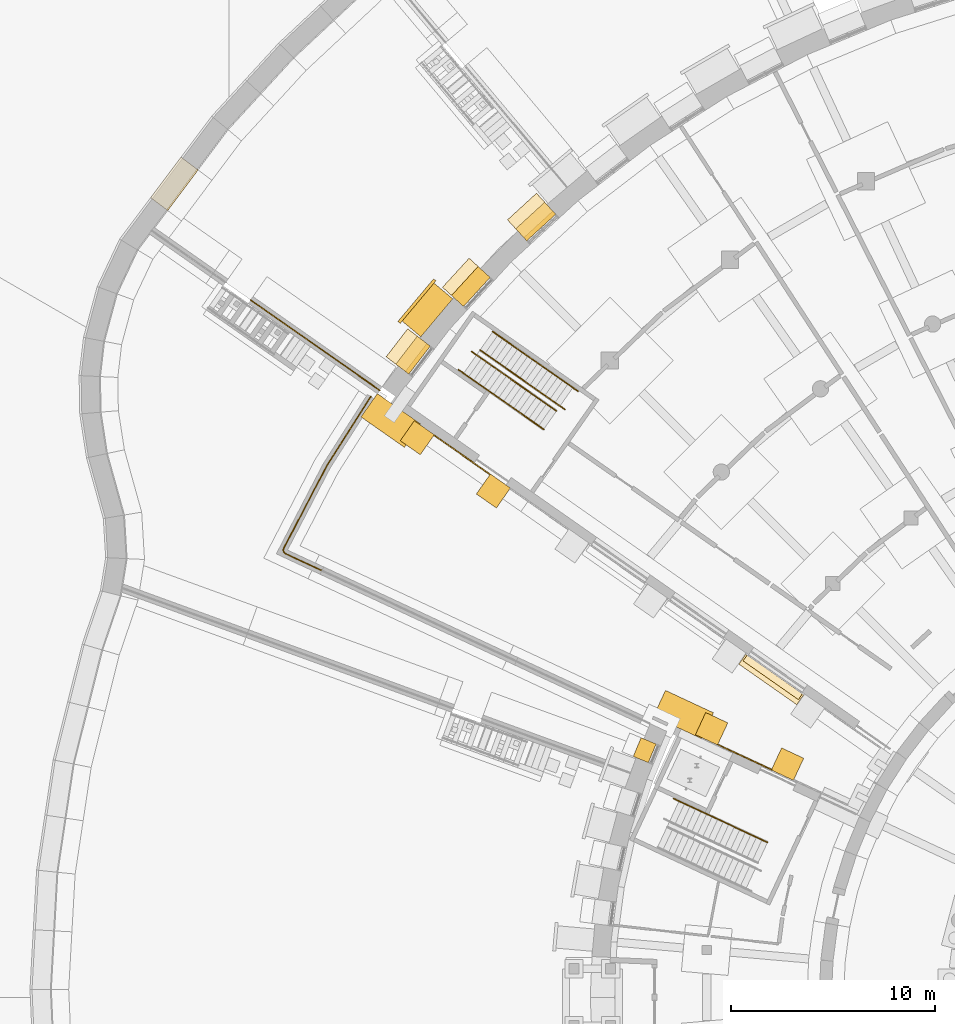
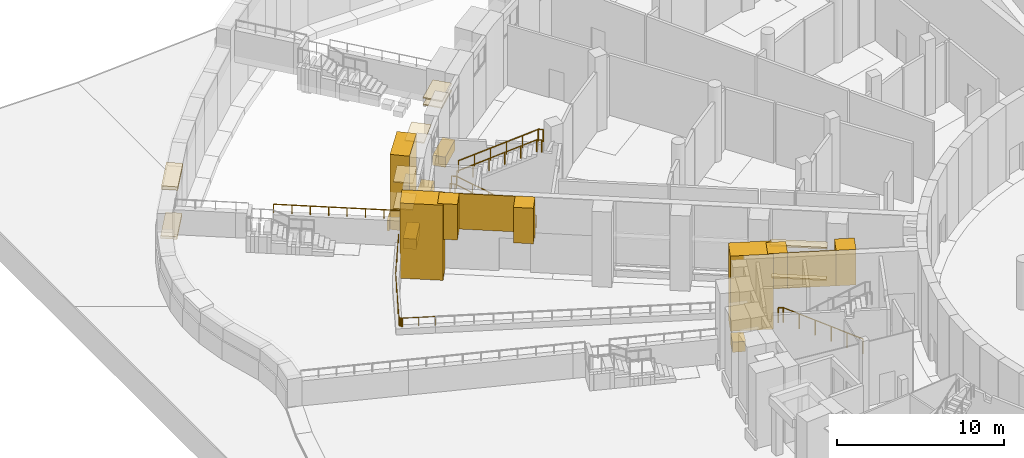
# One storey, part 60 of 65: 23 coverings, 7 railings.
"""IFC4 building model written with IfcOpenShell, lengths in metres."""

from ifc_helpers import new_model, si_unit, direction, frame, origin, origin_2d, place, context, subcontext, project, spatial, polyline, rectangle, circle, outline, extrude, material, layer, layer_set, type_object, element, save


model = new_model("IFC4")

# Units and contexts
model_context = context("Model", 3, precision=1e-05, world=origin(), true_north=direction((0.0, 1.0)))
body_context = subcontext(model_context, "Body", "Model", "MODEL_VIEW")
ifc_project = project(units=[si_unit("LENGTHUNIT", "METRE"), si_unit("AREAUNIT", "SQUARE_METRE"), si_unit("VOLUMEUNIT", "CUBIC_METRE"), si_unit("PLANEANGLEUNIT", "RADIAN"), si_unit("MASSUNIT", "GRAM", prefix="KILO")], contexts=[model_context])

# Site, building, storey
site_placement = place(None, origin())
site = spatial("IfcSite", under=ifc_project, at=site_placement, CompositionType="ELEMENT")
building_placement = place(site_placement, origin())
building = spatial("IfcBuilding", under=site, at=building_placement, Name="Volute Hill Aquarium", CompositionType="ELEMENT")
storey_placement = place(building_placement, frame((0.0, 0.0, -5.5)))
storey = spatial("IfcBuildingStorey", under=building, at=storey_placement, Name="L00", CompositionType="ELEMENT", Elevation=-5.5)

# Coverings
ifc_material_1 = material(Name="Blue limestone", Category="masonry")
covering_type_1 = type_object("IfcCoveringType", Name="Bluestone plinth block 275x750", PredefinedType="CLADDING", material=ifc_material_1)
covering_1_placement = place(storey_placement, frame((-29.574462890625, 12.141845703125, 0.0), z_axis=(0.0, 0.0, 1.0), x_axis=(-0.382661654863, -0.923888552747, 0.0)))
element("IfcCovering", 1, at=covering_1_placement, inside=storey, type_object=covering_type_1, Name="Bluestone plinth BPN S1 L00 1", PredefinedType="CLADDING", context=body_context, shape_type="SweptSolid", body=[
    extrude(rectangle(XDim=0.99267578125, YDim=0.800048828125, at=origin_2d()), origin(), (0.0, 0.0, 1.0), 0.75),
])
for number, where, z_axis, x_axis, name in (
    (2, (-34.9287109375, 38.117919921875, 0.0), (0.0, 0.0, 1.0), (-0.737286116943, -0.675580625657, 0.0), "Bluestone plinth BPN S6 L00 8"),
    (3, (-38.117919921875, 34.9287109375, 0.0), (0.0, 0.0, 1.0), (-0.675580625657, -0.737286116943, 0.0), "Bluestone plinth BPN S6 L00 9"),
):
    element("IfcCovering", number, at=place(storey_placement, frame(where, z_axis=z_axis, x_axis=x_axis)), inside=storey, type_object=covering_type_1, Name=name, PredefinedType="CLADDING", context=body_context, shape_type="SweptSolid", body=[
        extrude(rectangle(XDim=1.933837890625, YDim=0.800048828125, at=origin_2d()), origin(), (0.0, 0.0, 1.0), 0.75),
    ])
covering_2_placement = place(storey_placement, frame((-40.956298828125, 31.552978515625, 0.0), z_axis=(0.0, 0.0, 1.0), x_axis=(-0.608765735827, -0.793350035535, 0.0)))
element("IfcCovering", 4, at=covering_2_placement, inside=storey, type_object=covering_type_1, Name="Bluestone plinth BPN S6 L00 10", PredefinedType="CLADDING", context=body_context, shape_type="SweptSolid", body=[
    extrude(rectangle(XDim=1.733642578125, YDim=0.800048828125, at=origin_2d()), origin(), (0.0, 0.0, 1.0), 0.75),
])
ifc_material_2 = material(Name="Blue limestone", Category="masonry")
ifc_layer_1 = layer(ifc_material_2, 0.14990234375)
ifc_layer_set_1 = layer_set([ifc_layer_1], Name="Bluestone plinth plate 150x750")
covering_type_2 = type_object("IfcCoveringType", Name="Bluestone plinth plate 150x750", PredefinedType="CLADDING", material=ifc_layer_set_1)
covering_3_placement = place(storey_placement, frame((-40.767822265625, 34.208251953125, 0.0), z_axis=(0.0, 0.0, 1.0), x_axis=(-0.642787609687, -0.766044443119, 0.0)))
element("IfcCovering", 5, at=covering_3_placement, inside=storey, type_object=covering_type_2, Name="Bluestone plinth BP S6 L00 9", PredefinedType="CLADDING", context=body_context, shape_type="SweptSolid", body=[
    extrude(rectangle(XDim=2.7353515625, YDim=0.14990234375, at=origin_2d()), origin(), (0.0, 0.0, 1.0), 0.75),
])
ifc_material_3 = material(Name="Precast concrete C40/50", Category="concrete")
covering_type_3 = type_object("IfcCoveringType", Name="End wall precast fin C40/50 1200x1200", PredefinedType="CLADDING", material=ifc_material_3)
for number, where, z_axis, x_axis, name in (
    (6, (-22.556640625, 11.456298828125, 2.89990234375), (0.0, 0.0, 1.0), (-0.906304180904, 0.42262599503, 0.0), "End wall fin EWF S1A L00 2"),
    (7, (-26.2861328125, 13.1953125, 2.89990234375), (0.0, 0.0, 1.0), (-0.906304180904, 0.42262599503, 0.0), "End wall fin EWF S1A L00 3"),
    (8, (-37.0107421875, 24.87744140625, 2.89990234375), (0.0, 0.0, 1.0), (-0.819151442029, 0.573577296467, 0.0), "End wall fin EWF S6B L00 6"),
    (9, (-40.748779296875, 27.494873046875, 2.89990234375), (0.0, 0.0, 1.0), (-0.819151442029, 0.573577296467, 0.0), "End wall fin EWF S6B L00 7"),
):
    element("IfcCovering", number, at=place(storey_placement, frame(where, z_axis=z_axis, x_axis=x_axis)), inside=storey, type_object=covering_type_3, Name=name, PredefinedType="CLADDING", context=body_context, shape_type="SweptSolid", body=[
        extrude(rectangle(XDim=1.199951171875, YDim=1.199951171875, at=origin_2d()), origin(), (0.0, 0.0, 1.0), 2.60009765625),
    ])
ifc_material_4 = material(Name="Precast concrete C40/50", Category="concrete")
ifc_layer_2 = layer(ifc_material_4, 0.050048828125)
ifc_layer_set_2 = layer_set([ifc_layer_2], Name="End wall precast infill panel C40/50 50")
covering_type_4 = type_object("IfcCoveringType", Name="End wall precast infill panel C40/50 50", PredefinedType="CLADDING", material=ifc_layer_set_2)
covering_4_placement = place(storey_placement, frame((-23.3330078125, 11.21142578125, 2.89990234375), z_axis=(0.422624097709, 0.906305065657, 0.0), x_axis=(-0.906305065657, 0.422624097709, 0.0)))
element("IfcCovering", 10, at=covering_4_placement, inside=storey, type_object=covering_type_4, Name="End wall panel EWP S1A L00 2", PredefinedType="CLADDING", context=body_context, shape_type="SweptSolid", body=[
    extrude(outline(polyline([(0.0, 0.0), (2.9149629669225328, 0.0), (2.9149629669225328, 2.60009765625), (0.0, 2.60009765625), (0.0, 0.0)])), origin(), (0.0, 0.0, -1.0), 0.050048828125),
])
covering_5_placement = place(storey_placement, frame((-37.157958984375, 25.713134765625, 2.89990234375), z_axis=(0.573584128646, 0.819146658032, 0.0), x_axis=(-0.819146658032, 0.573584128646, 0.0)))
element("IfcCovering", 11, at=covering_5_placement, inside=storey, type_object=covering_type_4, Name="End wall panel EWP S6B L00 6", PredefinedType="CLADDING", context=body_context, shape_type="SweptSolid", body=[
    extrude(outline(polyline([(0.0, 0.0), (3.3634110889781903, 0.0), (3.3634110889781903, 2.60009765625), (0.0, 2.60009765625), (0.0, 0.0)])), origin(), (0.0, 0.0, -1.0), 0.050048828125),
])
ifc_material_5 = material(Name="Precast concrete C40/50", Category="concrete")
ifc_layer_3 = layer(ifc_material_5, 0.1201171875)
ifc_layer_set_3 = layer_set([ifc_layer_3], Name="End wall window head blade precast C40/50 600x120")
covering_type_5 = type_object("IfcCoveringType", Name="End wall window head blade precast C40/50 600x120", PredefinedType="CLADDING", material=ifc_layer_set_3)
covering_6_placement = place(storey_placement, frame((-23.35400390625, 15.6201171875, 3.199951171875), z_axis=(0.0, 0.0, 1.0), x_axis=(-0.819151442029, 0.573577296467, 0.0)))
element("IfcCovering", 12, at=covering_6_placement, inside=storey, type_object=covering_type_5, Name="End wall window head blade EWB S6B L00 2.1", PredefinedType="CLADDING", context=body_context, shape_type="SweptSolid", body=[
    extrude(rectangle(XDim=3.473388671875, YDim=0.60009765625, at=origin_2d()), origin(), (0.0, 0.0, 1.0), 0.1201171875),
])
ifc_material_6 = material(Name="Precast concrete C40/50", Category="concrete")
ifc_layer_4 = layer(ifc_material_6, 0.10009765625)
ifc_layer_set_4 = layer_set([ifc_layer_4], Name="End wall window sill precast C40/50 350x100")
covering_type_6 = type_object("IfcCoveringType", Name="End wall window sill precast C40/50 350x100", PredefinedType="CLADDING", material=ifc_layer_set_4)
covering_7_placement = place(storey_placement, frame((-23.282470703125, 15.72265625, 0.699951171875), z_axis=(0.0, 0.0, 1.0), x_axis=(-0.819151442029, 0.573577296467, 0.0)))
element("IfcCovering", 13, at=covering_7_placement, inside=storey, type_object=covering_type_6, Name="End wall window sill EWS S6B L00 2.1", PredefinedType="CLADDING", context=body_context, shape_type="SweptSolid", body=[
    extrude(rectangle(XDim=3.313232421875, YDim=0.35009765625, at=origin_2d()), origin(), (0.0, 0.0, 1.0), 0.10009765625),
])

# Railings
ifc_material_7 = material(Name="Stainless steel 1.4301", Category="steel")
railing_type_1 = type_object("IfcRailingType", Name="Guard 1100 stainless", PredefinedType="GUARDRAIL", material=ifc_material_7)
railing_1_placement = place(storey_placement, frame((-23.538818359375, 7.611083984375, 0.161865234375)))
element("IfcRailing", 14, at=railing_1_placement, inside=storey, type_object=railing_type_1, Name="gd/S1-A/L00/1", PredefinedType="GUARDRAIL", context=body_context, shape_type="SweptSolid", body=[
    extrude(circle(Radius=0.02392578125, at=origin_2d()), frame((0.0, 0.0, 1.076171875), z_axis=(-0.797737998729, 0.371985242238, 0.474595685758), x_axis=(-0.422612573246, -0.906310439604, 0.0)), (0.0, 0.0, 1.0), 5.453369140625),
    extrude(circle(Radius=0.02392578125, at=origin_2d()), frame((-4.350341796875, 2.028564453125, 3.6640625), z_axis=(-0.906307919131, 0.422617978463, 0.0), x_axis=(-0.422617978463, -0.906307919131, 0.0)), (0.0, 0.0, 1.0), 0.2998046875),
    extrude(circle(Radius=0.02099609375, at=origin_2d()), origin(), (0.0, 0.0, 1.0), 1.052001953125),
    extrude(circle(Radius=0.02099609375, at=origin_2d()), frame((-0.8701171875, 0.40576171875, 0.517578125)), (0.0, 0.0, 1.0), 1.052001953125),
    extrude(circle(Radius=0.02099609375, at=origin_2d()), frame((-1.740234375, 0.8115234375, 1.03515625)), (0.0, 0.0, 1.0), 1.052001953125),
    extrude(circle(Radius=0.02099609375, at=origin_2d()), frame((-2.610107421875, 1.217041015625, 1.552978515625)), (0.0, 0.0, 1.0), 1.052001953125),
    extrude(circle(Radius=0.02099609375, at=origin_2d()), frame((-3.480224609375, 1.622802734375, 2.070556640625)), (0.0, 0.0, 1.0), 1.052001953125),
    extrude(circle(Radius=0.02099609375, at=origin_2d()), frame((-4.350341796875, 2.028564453125, 2.588134765625)), (0.0, 0.0, 1.0), 1.052001953125),
    extrude(circle(Radius=0.02099609375, at=origin_2d()), frame((-4.6220703125, 2.1552734375, 2.588134765625)), (0.0, 0.0, 1.0), 1.052001953125),
])
railing_2_placement = place(storey_placement, frame((-34.5390625, 27.90771484375, 0.161865234375)))
element("IfcRailing", 15, at=railing_2_placement, inside=storey, type_object=railing_type_1, Name="gd/S6-B/L00/1", PredefinedType="GUARDRAIL", context=body_context, shape_type="SweptSolid", body=[
    extrude(circle(Radius=0.02392578125, at=origin_2d()), frame((0.0, 0.0, 1.076171875), z_axis=(-0.721014479241, 0.504866829084, 0.474602576494), x_axis=(-0.573581815061, -0.819148278049, 0.0)), (0.0, 0.0, 1.0), 5.453369140625),
    extrude(circle(Radius=0.02392578125, at=origin_2d()), frame((-3.931884765625, 2.753173828125, 3.6640625), z_axis=(-0.819193700616, 0.573516940352, 0.0), x_axis=(-0.573516940352, -0.819193700616, 0.0)), (0.0, 0.0, 1.0), 0.300048828125),
    extrude(circle(Radius=0.02099609375, at=origin_2d()), origin(), (0.0, 0.0, 1.0), 1.052001953125),
    extrude(circle(Radius=0.02099609375, at=origin_2d()), frame((-0.786376953125, 0.550537109375, 0.517578125)), (0.0, 0.0, 1.0), 1.052001953125),
    extrude(circle(Radius=0.02099609375, at=origin_2d()), frame((-1.57275390625, 1.101318359375, 1.03515625)), (0.0, 0.0, 1.0), 1.052001953125),
    extrude(circle(Radius=0.02099609375, at=origin_2d()), frame((-2.359130859375, 1.65185546875, 1.552978515625)), (0.0, 0.0, 1.0), 1.052001953125),
    extrude(circle(Radius=0.02099609375, at=origin_2d()), frame((-3.1455078125, 2.20263671875, 2.070556640625)), (0.0, 0.0, 1.0), 1.052001953125),
    extrude(circle(Radius=0.02099609375, at=origin_2d()), frame((-3.931884765625, 2.753173828125, 2.588134765625)), (0.0, 0.0, 1.0), 1.052001953125),
    extrude(circle(Radius=0.02099609375, at=origin_2d()), frame((-4.177734375, 2.92529296875, 2.588134765625)), (0.0, 0.0, 1.0), 1.052001953125),
])
ifc_material_8 = material(Name="Stainless steel 1.4301", Category="steel")
railing_type_2 = type_object("IfcRailingType", Name="Handrail 48 stainless", PredefinedType="HANDRAIL", material=ifc_material_8)
railing_3_placement = place(storey_placement, frame((-33.908203125, 28.808837890625, 0.161865234375)))
element("IfcRailing", 16, at=railing_3_placement, inside=storey, type_object=railing_type_2, Name="hr/S6-B/L00/2", PredefinedType="HANDRAIL", context=body_context, shape_type="SweptSolid", body=[
    extrude(circle(Radius=0.02392578125, at=origin_2d()), frame((0.0, 0.0, 0.8759765625), z_axis=(-0.721014479241, 0.504866829084, 0.474602576494), x_axis=(-0.573581815061, -0.819148278049, 0.0)), (0.0, 0.0, 1.0), 5.453369140625),
    extrude(circle(Radius=0.02392578125, at=origin_2d()), frame((-3.931884765625, 2.753173828125, 3.4638671875), z_axis=(-0.818925855405, 0.573899332068, 0.0), x_axis=(-0.573899332068, -0.818925855405, 0.0)), (0.0, 0.0, 1.0), 0.2998046875),
    extrude(circle(Radius=0.02099609375, at=origin_2d()), origin(), (0.0, 0.0, 1.0), 0.851806640625),
    extrude(circle(Radius=0.02099609375, at=origin_2d()), frame((-0.786376953125, 0.550537109375, 0.517578125)), (0.0, 0.0, 1.0), 0.851806640625),
    extrude(circle(Radius=0.02099609375, at=origin_2d()), frame((-1.57275390625, 1.101318359375, 1.03515625)), (0.0, 0.0, 1.0), 0.851806640625),
    extrude(circle(Radius=0.02099609375, at=origin_2d()), frame((-2.359130859375, 1.65185546875, 1.552978515625)), (0.0, 0.0, 1.0), 0.851806640625),
    extrude(circle(Radius=0.02099609375, at=origin_2d()), frame((-3.1455078125, 2.20263671875, 2.070556640625)), (0.0, 0.0, 1.0), 0.851806640625),
    extrude(circle(Radius=0.02099609375, at=origin_2d()), frame((-3.931884765625, 2.753173828125, 2.588134765625)), (0.0, 0.0, 1.0), 0.851806640625),
    extrude(circle(Radius=0.02099609375, at=origin_2d()), frame((-4.177490234375, 2.92529296875, 2.588134765625)), (0.0, 0.0, 1.0), 0.851806640625),
])
railing_4_placement = place(storey_placement, frame((-37.66796875, 31.807861328125, 2.911865234375)))
element("IfcRailing", 17, at=railing_4_placement, inside=storey, type_object=railing_type_2, Name="hr/S6-B/L00/3", PredefinedType="HANDRAIL", context=body_context, shape_type="SweptSolid", body=[
    extrude(circle(Radius=0.02392578125, at=origin_2d()), frame((0.0, 0.0, 0.8759765625), z_axis=(0.721014479241, -0.504866829084, 0.474602576494), x_axis=(0.573581815061, 0.819148278049, 0.0)), (0.0, 0.0, 1.0), 5.453369140625),
    extrude(circle(Radius=0.02392578125, at=origin_2d()), frame((3.931884765625, -2.753173828125, 3.4638671875), z_axis=(0.819193700616, -0.573516940352, 0.0), x_axis=(0.573516940352, 0.819193700616, 0.0)), (0.0, 0.0, 1.0), 0.300048828125),
    extrude(circle(Radius=0.02099609375, at=origin_2d()), origin(), (0.0, 0.0, 1.0), 0.851806640625),
    extrude(circle(Radius=0.02099609375, at=origin_2d()), frame((0.786376953125, -0.550537109375, 0.517578125)), (0.0, 0.0, 1.0), 0.851806640625),
    extrude(circle(Radius=0.02099609375, at=origin_2d()), frame((1.57275390625, -1.101318359375, 1.03515625)), (0.0, 0.0, 1.0), 0.851806640625),
    extrude(circle(Radius=0.02099609375, at=origin_2d()), frame((2.359130859375, -1.65185546875, 1.552978515625)), (0.0, 0.0, 1.0), 0.851806640625),
    extrude(circle(Radius=0.02099609375, at=origin_2d()), frame((3.1455078125, -2.20263671875, 2.070556640625)), (0.0, 0.0, 1.0), 0.851806640625),
    extrude(circle(Radius=0.02099609375, at=origin_2d()), frame((3.931884765625, -2.753173828125, 2.588134765625)), (0.0, 0.0, 1.0), 0.851806640625),
    extrude(circle(Radius=0.02099609375, at=origin_2d()), frame((4.177734375, -2.92529296875, 2.588134765625)), (0.0, 0.0, 1.0), 0.851806640625),
])
railing_5_placement = place(storey_placement, frame((-37.037109375, 32.708984375, 2.911865234375)))
element("IfcRailing", 18, at=railing_5_placement, inside=storey, type_object=railing_type_2, Name="hr/S6-B/L00/4", PredefinedType="HANDRAIL", context=body_context, shape_type="SweptSolid", body=[
    extrude(circle(Radius=0.02392578125, at=origin_2d()), frame((0.0, 0.0, 0.8759765625), z_axis=(0.721035973794, -0.504850532502, 0.474587256811), x_axis=(0.573557917916, 0.819165010725, 0.0)), (0.0, 0.0, 1.0), 5.453369140625),
    extrude(circle(Radius=0.02392578125, at=origin_2d()), frame((3.93212890625, -2.753173828125, 3.4638671875), z_axis=(0.818925855405, -0.573899332068, 0.0), x_axis=(0.573899332068, 0.818925855405, 0.0)), (0.0, 0.0, 1.0), 0.2998046875),
    extrude(circle(Radius=0.02099609375, at=origin_2d()), origin(), (0.0, 0.0, 1.0), 0.851806640625),
    extrude(circle(Radius=0.02099609375, at=origin_2d()), frame((0.786376953125, -0.550537109375, 0.517578125)), (0.0, 0.0, 1.0), 0.851806640625),
    extrude(circle(Radius=0.02099609375, at=origin_2d()), frame((1.57275390625, -1.101318359375, 1.03515625)), (0.0, 0.0, 1.0), 0.851806640625),
    extrude(circle(Radius=0.02099609375, at=origin_2d()), frame((2.359375, -1.65185546875, 1.552978515625)), (0.0, 0.0, 1.0), 0.851806640625),
    extrude(circle(Radius=0.02099609375, at=origin_2d()), frame((3.145751953125, -2.20263671875, 2.070556640625)), (0.0, 0.0, 1.0), 0.851806640625),
    extrude(circle(Radius=0.02099609375, at=origin_2d()), frame((3.93212890625, -2.753173828125, 2.588134765625)), (0.0, 0.0, 1.0), 0.851806640625),
    extrude(circle(Radius=0.02099609375, at=origin_2d()), frame((4.177734375, -2.92529296875, 2.588134765625)), (0.0, 0.0, 1.0), 0.851806640625),
])

# Coverings
ifc_material_9 = material(Name="Aluminium, anodised", Category="aluminium")
ifc_layer_5 = layer(ifc_material_9, 0.080078125)
ifc_layer_set_5 = layer_set([ifc_layer_5], Name="Horizontal brise-soleil eyebrow 1200x80")
covering_type_7 = type_object("IfcCoveringType", Name="Horizontal brise-soleil eyebrow 1200x80", PredefinedType="CLADDING", material=ifc_layer_set_5)
for number, where, z_axis, x_axis, name in (
    (19, (-35.198974609375, 38.412841796875, 4.760009765625), (0.0, 0.0, 1.0), (-0.737286116943, -0.675580625657, 0.0), "Brise-soleil eyebrow BS S6 L00 8.1"),
    (20, (-35.198974609375, 38.412841796875, 4.260009765625), (0.0, 0.0, 1.0), (-0.737286116943, -0.675580625657, 0.0), "Brise-soleil eyebrow BS S6 L00 8.2"),
    (21, (-38.412841796875, 35.198974609375, 4.760009765625), (0.0, 0.0, 1.0), (-0.675580625657, -0.737286116943, 0.0), "Brise-soleil eyebrow BS S6 L00 9.1"),
):
    element("IfcCovering", number, at=place(storey_placement, frame(where, z_axis=z_axis, x_axis=x_axis)), inside=storey, type_object=covering_type_7, Name=name, PredefinedType="CLADDING", context=body_context, shape_type="SweptSolid", body=[
        extrude(rectangle(XDim=1.933837890625, YDim=1.199951171875, at=origin_2d()), origin(), (0.0, 0.0, 1.0), 0.080078125),
    ])
for number, where, z_axis, x_axis, name in (
    (22, (-41.2734375, 31.79638671875, 4.760009765625), (0.0, 0.0, 1.0), (-0.608765735827, -0.793350035535, 0.0), "Brise-soleil eyebrow BS S6 L00 10.1"),
    (23, (-41.2734375, 31.79638671875, 2.81005859375), (0.0, 0.0, 1.0), (-0.608765735827, -0.793350035535, 0.0), "Brise-soleil eyebrow BS S6 L00 10.2"),
):
    element("IfcCovering", number, at=place(storey_placement, frame(where, z_axis=z_axis, x_axis=x_axis)), inside=storey, type_object=covering_type_7, Name=name, PredefinedType="CLADDING", context=body_context, shape_type="SweptSolid", body=[
        extrude(rectangle(XDim=1.733642578125, YDim=1.199951171875, at=origin_2d()), origin(), (0.0, 0.0, 1.0), 0.080078125),
    ])
ifc_material_10 = material(Name="Precast concrete C40/50", Category="concrete")
ifc_layer_6 = layer(ifc_material_10, 0.25)
ifc_layer_set_6 = layer_set([ifc_layer_6], Name="Plinth coping precast concrete C40/50 1000")
covering_type_8 = type_object("IfcCoveringType", Name="Plinth coping precast concrete C40/50 1000", PredefinedType="CLADDING", material=ifc_layer_set_6)
covering_8_placement = place(storey_placement, frame((0.0, 0.0, 3.60009765625)))
element("IfcCovering", 24, at=covering_8_placement, inside=storey, type_object=covering_type_8, Name="cp/E84FA2/L00/1", PredefinedType="CLADDING", context=body_context, shape_type="SweptSolid", body=[
    extrude(outline(polyline([(-52.320068359375, 41.25341796875), (-53.8125, 39.26123046875), (-53.011962890625, 38.661865234375), (-51.519775390625, 40.65380859375), (-52.320068359375, 41.25341796875)])), origin(), (0.0, 0.0, 1.0), 0.25),
])
ifc_material_11 = material(Name="Precast concrete C40/50", Category="concrete")
ifc_layer_7 = layer(ifc_material_11, 0.199951171875)
ifc_layer_set_7 = layer_set([ifc_layer_7], Name="Plinth grade course precast concrete C40/50 1100")
covering_type_9 = type_object("IfcCoveringType", Name="Plinth grade course precast concrete C40/50 1100", PredefinedType="CLADDING", material=ifc_layer_set_7)
covering_9_placement = place(storey_placement, origin())
element("IfcCovering", 25, at=covering_9_placement, inside=storey, type_object=covering_type_9, Name="gc/E84FA2/L00/1", PredefinedType="CLADDING", context=body_context, shape_type="SweptSolid", body=[
    extrude(outline(polyline([(-52.360107421875, 41.283447265625), (-53.852294921875, 39.291259765625), (-53.052001953125, 38.69189453125), (-51.559814453125, 40.683837890625), (-52.360107421875, 41.283447265625)])), origin(), (0.0, 0.0, 1.0), 0.199951171875),
])
ifc_material_12 = material(Name="Precast concrete C40/50", Category="concrete")
covering_type_10 = type_object("IfcCoveringType", Name="Projecting pier precast concrete C40/50 2435x1200", PredefinedType="CLADDING", material=ifc_material_12)
covering_10_placement = place(storey_placement, frame((-40.250732421875, 33.7744140625, 0.0), z_axis=(0.0, 0.0, 1.0), x_axis=(-0.642787609687, -0.766044443119, 0.0)))
element("IfcCovering", 26, at=covering_10_placement, inside=storey, type_object=covering_type_10, Name="Projecting pier PP S6 L00 9", PredefinedType="CLADDING", context=body_context, shape_type="SweptSolid", body=[
    extrude(rectangle(XDim=2.435302734375, YDim=1.199951171875, at=origin_2d()), origin(), (0.0, 0.0, 1.0), 5.5),
])

# Railings
ifc_material_13 = material(Name="Steel S355", Category="steel")
railing_type_3 = type_object("IfcRailingType", Name="Site guard 1100", PredefinedType="GUARDRAIL", material=ifc_material_13)
railing_6_placement = place(storey_placement, frame((-42.595947265625, 29.825927734375, 3.199951171875)))
element("IfcRailing", 27, at=railing_6_placement, inside=storey, type_object=railing_type_3, Name="gd/RW145/L00/0", PredefinedType="GUARDRAIL", context=body_context, shape_type="SweptSolid", body=[
    extrude(circle(Radius=0.02392578125, at=origin_2d()), frame((0.0, 0.0, 0.6259765625), z_axis=(-0.819147443385, 0.573583007067, 0.0), x_axis=(-0.573583007067, -0.819147443385, 0.0)), (0.0, 0.0, 1.0), 7.73974609375),
    extrude(circle(Radius=0.02099609375, at=origin_2d()), origin(), (0.0, 0.0, 1.0), 0.601806640625),
    extrude(circle(Radius=0.02099609375, at=origin_2d()), frame((-0.90576171875, 0.63427734375, 0.0)), (0.0, 0.0, 1.0), 0.601806640625),
    extrude(circle(Radius=0.02099609375, at=origin_2d()), frame((-1.8115234375, 1.268310546875, 0.0)), (0.0, 0.0, 1.0), 0.601806640625),
    extrude(circle(Radius=0.02099609375, at=origin_2d()), frame((-2.71728515625, 1.902587890625, 0.0)), (0.0, 0.0, 1.0), 0.601806640625),
    extrude(circle(Radius=0.02099609375, at=origin_2d()), frame((-3.622802734375, 2.536865234375, 0.0)), (0.0, 0.0, 1.0), 0.601806640625),
    extrude(circle(Radius=0.02099609375, at=origin_2d()), frame((-4.528564453125, 3.171142578125, 0.0)), (0.0, 0.0, 1.0), 0.601806640625),
    extrude(circle(Radius=0.02099609375, at=origin_2d()), frame((-5.434326171875, 3.80517578125, 0.0)), (0.0, 0.0, 1.0), 0.601806640625),
    extrude(circle(Radius=0.02099609375, at=origin_2d()), frame((-6.340087890625, 4.439453125, 0.0)), (0.0, 0.0, 1.0), 0.601806640625),
])
railing_7_placement = place(storey_placement, frame((-45.433349609375, 20.965087890625, 1.824951171875)))
element("IfcRailing", 28, at=railing_7_placement, inside=storey, type_object=railing_type_3, Name="gd/RWCFA10.1/L00/0", PredefinedType="GUARDRAIL", context=body_context, shape_type="SweptSolid", body=[
    extrude(circle(Radius=0.02392578125, at=origin_2d()), frame((0.0, 0.0, 0.6259765625), z_axis=(-0.906259379234, 0.42272205709, 0.0), x_axis=(-0.42272205709, -0.906259379234, 0.0)), (0.0, 0.0, 1.0), 1.963134765625),
    extrude(circle(Radius=0.02392578125, at=origin_2d()), frame((-1.779052734375, 0.829833984375, 0.6259765625), z_axis=(-0.889567018144, 0.456804684993, 0.0), x_axis=(-0.456804684993, -0.889567018144, 0.0)), (0.0, 0.0, 1.0), 0.020263671875),
    extrude(circle(Radius=0.02392578125, at=origin_2d()), frame((-1.797119140625, 0.839111328125, 0.6259765625), z_axis=(-0.828283413128, 0.560309367704, 0.0), x_axis=(-0.560309367704, -0.828283413128, 0.0)), (0.0, 0.0, 1.0), 0.02001953125),
    extrude(circle(Radius=0.02392578125, at=origin_2d()), frame((-1.813720703125, 0.850341796875, 0.6259765625), z_axis=(-0.770190455771, 0.637813971185, 0.0), x_axis=(-0.637813971185, -0.770190455771, 0.0)), (0.0, 0.0, 1.0), 0.020263671875),
    extrude(circle(Radius=0.02392578125, at=origin_2d()), frame((-1.829345703125, 0.86328125, 0.6259765625), z_axis=(-0.707106781187, 0.707106781187, 0.0), x_axis=(-0.707106781187, -0.707106781187, 0.0)), (0.0, 0.0, 1.0), 0.02001953125),
    extrude(circle(Radius=0.02392578125, at=origin_2d()), frame((-1.843505859375, 0.87744140625, 0.6259765625), z_axis=(-0.624695047554, 0.780868809443, 0.0), x_axis=(-0.780868809443, -0.624695047554, 0.0)), (0.0, 0.0, 1.0), 0.020263671875),
    extrude(circle(Radius=0.02392578125, at=origin_2d()), frame((-1.856201171875, 0.893310546875, 0.6259765625), z_axis=(-0.554700196225, 0.832050294338, 0.0), x_axis=(-0.832050294338, -0.554700196225, 0.0)), (0.0, 0.0, 1.0), 0.020263671875),
    extrude(circle(Radius=0.02392578125, at=origin_2d()), frame((-1.867431640625, 0.91015625, 0.6259765625), z_axis=(-0.452094425935, 0.891970083601, 0.0), x_axis=(-0.891970083601, -0.452094425935, 0.0)), (0.0, 0.0, 1.0), 0.02001953125),
    extrude(circle(Radius=0.02392578125, at=origin_2d()), frame((-1.87646484375, 0.927978515625, 0.6259765625), z_axis=(-0.373466870858, 0.927643517938, 0.0), x_axis=(-0.927643517938, -0.373466870858, 0.0)), (0.0, 0.0, 1.0), 0.020263671875),
    extrude(circle(Radius=0.02392578125, at=origin_2d()), frame((-1.884033203125, 0.94677734375, 0.6259765625), z_axis=(-0.279533267892, 0.960136007106, 0.0), x_axis=(-0.960136007106, -0.279533267892, 0.0)), (0.0, 0.0, 1.0), 0.02001953125),
    extrude(circle(Radius=0.02392578125, at=origin_2d()), frame((-1.8896484375, 0.966064453125, 0.6259765625), z_axis=(-0.168296462892, 0.98573642551, 0.0), x_axis=(-0.98573642551, -0.168296462892, 0.0)), (0.0, 0.0, 1.0), 0.020263671875),
    extrude(circle(Radius=0.02392578125, at=origin_2d()), frame((-1.89306640625, 0.986083984375, 0.6259765625), z_axis=(-0.072975638312, 0.997333723592, 0.0), x_axis=(-0.997333723592, -0.072975638312, 0.0)), (0.0, 0.0, 1.0), 0.02001953125),
    extrude(circle(Radius=0.02392578125, at=origin_2d()), frame((-1.89453125, 1.006103515625, 0.6259765625), z_axis=(0.024089392975, 0.999709808467, 0.0), x_axis=(-0.999709808467, 0.024089392975, 0.0)), (0.0, 0.0, 1.0), 0.020263671875),
    extrude(circle(Radius=0.02392578125, at=origin_2d()), frame((-1.89404296875, 1.0263671875, 0.6259765625), z_axis=(0.121054375311, 0.992645877551, 0.0), x_axis=(-0.992645877551, 0.121054375311, 0.0)), (0.0, 0.0, 1.0), 0.020263671875),
    extrude(circle(Radius=0.02392578125, at=origin_2d()), frame((-1.8916015625, 1.04638671875, 0.6259765625), z_axis=(0.231072430796, 0.97293655072, 0.0), x_axis=(-0.97293655072, 0.231072430796, 0.0)), (0.0, 0.0, 1.0), 0.02001953125),
    extrude(circle(Radius=0.02392578125, at=origin_2d()), frame((-1.886962890625, 1.06591796875, 0.6259765625), z_axis=(0.327110563883, 0.94498607344, 0.0), x_axis=(-0.94498607344, 0.327110563883, 0.0)), (0.0, 0.0, 1.0), 0.020263671875),
    extrude(circle(Radius=0.02392578125, at=origin_2d()), frame((-1.88037109375, 1.0849609375, 0.6259765625), z_axis=(0.412887794594, 0.91078189984, 0.0), x_axis=(-0.91078189984, 0.412887794594, 0.0)), (0.0, 0.0, 1.0), 0.02001953125),
    extrude(circle(Radius=0.02392578125, at=origin_2d()), frame((-1.8720703125, 1.103271484375, 0.6259765625), z_axis=(0.461749200645, 0.887010527392, 0.0), x_axis=(-0.887010527392, 0.461749200645, 0.0)), (0.0, 0.0, 1.0), 4.53662109375),
    extrude(circle(Radius=0.02392578125, at=origin_2d()), frame((0.22265625, 5.127197265625, 0.6259765625), z_axis=(0.502135517387, 0.86478894661, 0.0), x_axis=(-0.86478894661, 0.502135517387, 0.0)), (0.0, 0.0, 1.0), 0.017578125),
    extrude(circle(Radius=0.02392578125, at=origin_2d()), frame((0.2314453125, 5.142333984375, 0.6259765625), z_axis=(0.537274578012, 0.843407391373, 0.0), x_axis=(-0.843407391373, 0.537274578012, 0.0)), (0.0, 0.0, 1.0), 4.036865234375),
    extrude(circle(Radius=0.02099609375, at=origin_2d()), origin(), (0.0, 0.0, 1.0), 0.601806640625),
    extrude(circle(Radius=0.02099609375, at=origin_2d()), frame((-0.8896484375, 0.4150390625, 0.0)), (0.0, 0.0, 1.0), 0.601806640625),
    extrude(circle(Radius=0.02099609375, at=origin_2d()), frame((-1.779052734375, 0.829833984375, 0.0)), (0.0, 0.0, 1.0), 0.601806640625),
    extrude(circle(Radius=0.02099609375, at=origin_2d()), frame((-1.797119140625, 0.839111328125, 0.0)), (0.0, 0.0, 1.0), 0.601806640625),
    extrude(circle(Radius=0.02099609375, at=origin_2d()), frame((-1.813720703125, 0.850341796875, 0.0)), (0.0, 0.0, 1.0), 0.601806640625),
    extrude(circle(Radius=0.02099609375, at=origin_2d()), frame((-1.829345703125, 0.86328125, 0.0)), (0.0, 0.0, 1.0), 0.601806640625),
    extrude(circle(Radius=0.02099609375, at=origin_2d()), frame((-1.843505859375, 0.87744140625, 0.0)), (0.0, 0.0, 1.0), 0.601806640625),
    extrude(circle(Radius=0.02099609375, at=origin_2d()), frame((-1.856201171875, 0.893310546875, 0.0)), (0.0, 0.0, 1.0), 0.601806640625),
    extrude(circle(Radius=0.02099609375, at=origin_2d()), frame((-1.867431640625, 0.91015625, 0.0)), (0.0, 0.0, 1.0), 0.601806640625),
    extrude(circle(Radius=0.02099609375, at=origin_2d()), frame((-1.87646484375, 0.927978515625, 0.0)), (0.0, 0.0, 1.0), 0.601806640625),
    extrude(circle(Radius=0.02099609375, at=origin_2d()), frame((-1.884033203125, 0.94677734375, 0.0)), (0.0, 0.0, 1.0), 0.601806640625),
    extrude(circle(Radius=0.02099609375, at=origin_2d()), frame((-1.8896484375, 0.966064453125, 0.0)), (0.0, 0.0, 1.0), 0.601806640625),
    extrude(circle(Radius=0.02099609375, at=origin_2d()), frame((-1.89306640625, 0.986083984375, 0.0)), (0.0, 0.0, 1.0), 0.601806640625),
    extrude(circle(Radius=0.02099609375, at=origin_2d()), frame((-1.89453125, 1.006103515625, 0.0)), (0.0, 0.0, 1.0), 0.601806640625),
    extrude(circle(Radius=0.02099609375, at=origin_2d()), frame((-1.89404296875, 1.0263671875, 0.0)), (0.0, 0.0, 1.0), 0.601806640625),
    extrude(circle(Radius=0.02099609375, at=origin_2d()), frame((-1.8916015625, 1.04638671875, 0.0)), (0.0, 0.0, 1.0), 0.601806640625),
    extrude(circle(Radius=0.02099609375, at=origin_2d()), frame((-1.886962890625, 1.06591796875, 0.0)), (0.0, 0.0, 1.0), 0.601806640625),
    extrude(circle(Radius=0.02099609375, at=origin_2d()), frame((-1.88037109375, 1.0849609375, 0.0)), (0.0, 0.0, 1.0), 0.601806640625),
    extrude(circle(Radius=0.02099609375, at=origin_2d()), frame((-1.8720703125, 1.103271484375, 0.0)), (0.0, 0.0, 1.0), 0.601806640625),
    extrude(circle(Radius=0.02099609375, at=origin_2d()), frame((-1.348388671875, 2.109375, 0.0)), (0.0, 0.0, 1.0), 0.601806640625),
    extrude(circle(Radius=0.02099609375, at=origin_2d()), frame((-0.82470703125, 3.115234375, 0.0)), (0.0, 0.0, 1.0), 0.601806640625),
    extrude(circle(Radius=0.02099609375, at=origin_2d()), frame((-0.301025390625, 4.12109375, 0.0)), (0.0, 0.0, 1.0), 0.601806640625),
    extrude(circle(Radius=0.02099609375, at=origin_2d()), frame((0.22265625, 5.127197265625, 0.0)), (0.0, 0.0, 1.0), 0.601806640625),
    extrude(circle(Radius=0.02099609375, at=origin_2d()), frame((0.2314453125, 5.142333984375, 0.0)), (0.0, 0.0, 1.0), 0.601806640625),
    extrude(circle(Radius=0.02099609375, at=origin_2d()), frame((0.773681640625, 5.99365234375, 0.0)), (0.0, 0.0, 1.0), 0.601806640625),
    extrude(circle(Radius=0.02099609375, at=origin_2d()), frame((1.31591796875, 6.8447265625, 0.0)), (0.0, 0.0, 1.0), 0.601806640625),
    extrude(circle(Radius=0.02099609375, at=origin_2d()), frame((1.858154296875, 7.69580078125, 0.0)), (0.0, 0.0, 1.0), 0.601806640625),
    extrude(circle(Radius=0.02099609375, at=origin_2d()), frame((2.400390625, 8.547119140625, 0.0)), (0.0, 0.0, 1.0), 0.601806640625),
])

# Coverings
ifc_material_14 = material(Name="Precast concrete C40/50", Category="concrete")
covering_type_11 = type_object("IfcCoveringType", Name="Step pylon precast concrete C40/50 1400x2600", PredefinedType="CLADDING", material=ifc_material_14)
for number, where, z_axis, x_axis, name in (
    (29, (-27.669921875, 13.895751953125, 0.0), (0.0, 0.0, 1.0), (-0.906307787037, 0.422618261741, 0.0), "Step pylon SPY S1A L00"),
    (30, (-42.047119140625, 28.343017578125, 0.0), (0.0, 0.0, 1.0), (-0.819152044289, 0.573576436351, 0.0), "Step pylon SPY S6B L00"),
):
    element("IfcCovering", number, at=place(storey_placement, frame(where, z_axis=z_axis, x_axis=x_axis)), inside=storey, type_object=covering_type_11, Name=name, PredefinedType="CLADDING", context=body_context, shape_type="SweptSolid", body=[
        extrude(rectangle(XDim=2.60009765625, YDim=1.39990234375, at=origin_2d()), origin(), (0.0, 0.0, 1.0), 5.5),
    ])

save(model, "model.ifc")
